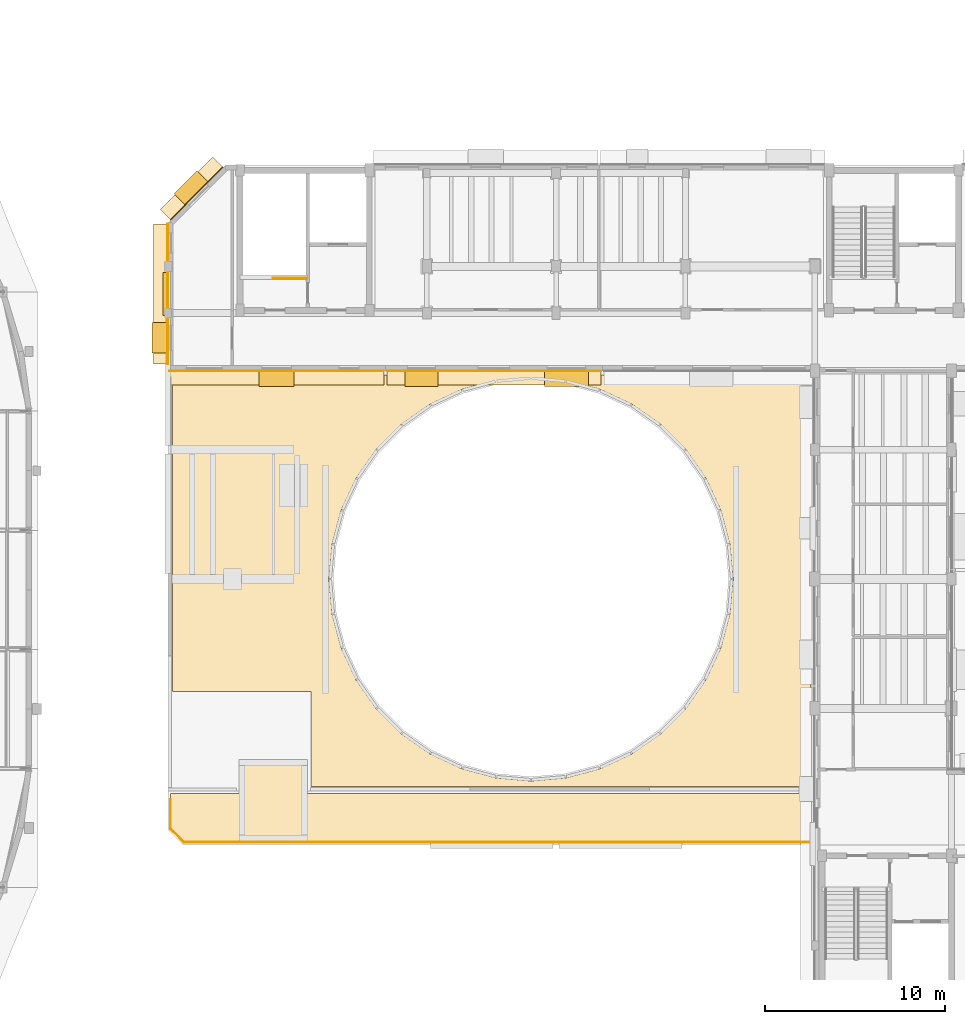
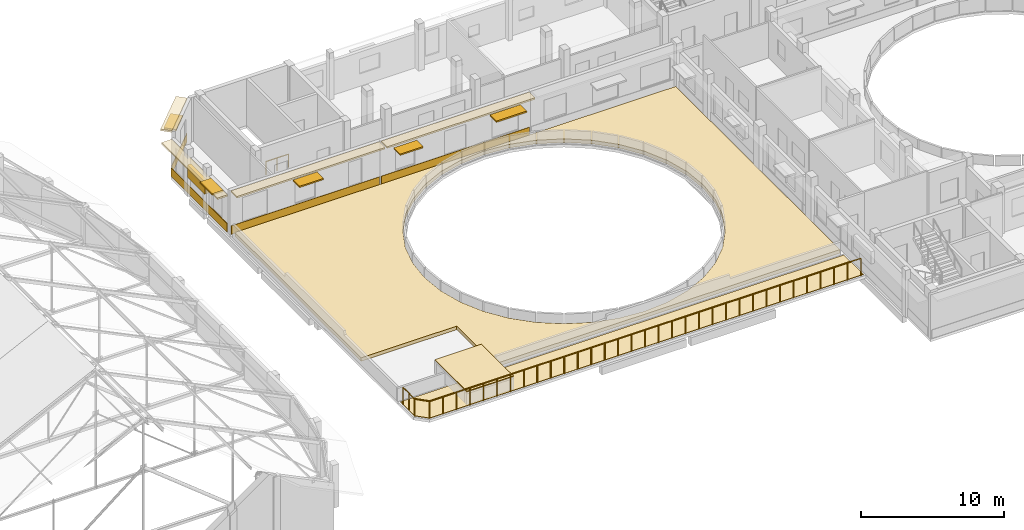
# One storey, part 69 of 78: 11 coverings, 6 shading devices, 3 railings.
"""IFC4 building model written with IfcOpenShell, lengths in metres."""

from ifc_helpers import new_model, si_unit, direction, frame, origin, origin_2d, place, context, subcontext, project, spatial, polyline, rectangle, circle, outline, extrude, material, layer, layer_set, type_object, element, save


model = new_model("IFC4")

# Units and contexts
model_context = context("Model", 3, precision=1e-05, world=origin(), true_north=direction((0.0, 1.0)))
body_context = subcontext(model_context, "Body", "Model", "MODEL_VIEW")
ifc_project = project(units=[si_unit("LENGTHUNIT", "METRE"), si_unit("AREAUNIT", "SQUARE_METRE"), si_unit("VOLUMEUNIT", "CUBIC_METRE"), si_unit("PLANEANGLEUNIT", "RADIAN"), si_unit("MASSUNIT", "GRAM", prefix="KILO")], contexts=[model_context])

# Site, building, storey
site_placement = place(None, origin())
site = spatial("IfcSite", under=ifc_project, at=site_placement, CompositionType="ELEMENT")
building_placement = place(site_placement, origin())
building = spatial("IfcBuilding", under=site, at=building_placement, Name="Kelanivale Promenade Academy", CompositionType="ELEMENT")
storey_placement = place(building_placement, frame((0.0, 0.0, 16.199951171875)))
storey = spatial("IfcBuildingStorey", under=building, at=storey_placement, Name="L04", CompositionType="ELEMENT", Elevation=16.199951171875)

# Coverings
ifc_material_1 = material(Name="Warm ivory Art Deco stucco frieze band 40 mm", Category="masonry")
ifc_layer_1 = layer(ifc_material_1, 0.0400390625)
ifc_layer_set_1 = layer_set([ifc_layer_1], Name="Warm ivory Art Deco stucco frieze band 40 mm")
covering_type_1 = type_object("IfcCoveringType", Name="COV-CLD2 Warm ivory Art Deco stucco frieze ba", PredefinedType="CLADDING", material=ifc_layer_set_1)
covering_1_placement = place(storey_placement, frame((44.52001953125, 78.530029296875, 3.6201171875), z_axis=(0.0, 0.0, 1.0), x_axis=(-0.707106781187, -0.707106781187, 0.0)))
element("IfcCovering", 1, at=covering_1_placement, inside=storey, type_object=covering_type_1, Name="Art Deco projecting 820 mm streamline sunshade eyebrow ledge", PredefinedType="CLADDING", context=body_context, shape_type="SweptSolid", body=[
    extrude(rectangle(XDim=4.134033203125, YDim=0.820068359375, at=origin_2d()), origin(), (0.0, 0.0, 1.0), 0.139892578125),
])
covering_2_placement = place(storey_placement, frame((44.7919921875, 78.258056640625, 0.06005859375), z_axis=(0.0, 0.0, 1.0), x_axis=(-0.707106781187, -0.707106781187, 0.0)))
element("IfcCovering", 2, at=covering_2_placement, inside=storey, type_object=covering_type_1, Name="Art Deco ivory stucco sill frieze band", PredefinedType="CLADDING", context=body_context, shape_type="SweptSolid", body=[
    extrude(rectangle(XDim=4.134033203125, YDim=0.0400390625, at=origin_2d()), origin(), (0.0, 0.0, 1.0), 0.719970703125),
])
covering_3_placement = place(storey_placement, frame((42.800048828125, 72.660888671875, 3.09521484375), z_axis=(0.0, 0.0, 1.0), x_axis=(0.0, -1.0, 0.0)))
element("IfcCovering", 3, at=covering_3_placement, inside=storey, type_object=covering_type_1, Name="Art Deco projecting 820 mm streamline sunshade eyebrow ledge", PredefinedType="CLADDING", context=body_context, shape_type="SweptSolid", body=[
    extrude(rectangle(XDim=7.802001953125, YDim=0.820068359375, at=origin_2d()), origin(), (0.0, 0.0, 1.0), 0.139892578125),
])
covering_4_placement = place(storey_placement, frame((43.18505859375, 72.660888671875, 0.06005859375), z_axis=(0.0, 0.0, 1.0), x_axis=(0.0, -1.0, 0.0)))
element("IfcCovering", 4, at=covering_4_placement, inside=storey, type_object=covering_type_1, Name="Art Deco ivory stucco sill frieze band", PredefinedType="CLADDING", context=body_context, shape_type="SweptSolid", body=[
    extrude(rectangle(XDim=7.802001953125, YDim=0.0400390625, at=origin_2d()), origin(), (0.0, 0.0, 1.0), 0.719970703125),
])
covering_5_placement = place(storey_placement, frame((49.24609375, 68.0, 3.6201171875), z_axis=(0.0, 0.0, 1.0), x_axis=(1.0, 0.0, 0.0)))
element("IfcCovering", 5, at=covering_5_placement, inside=storey, type_object=covering_type_1, Name="Art Deco projecting 820 mm streamline sunshade eyebrow ledge", PredefinedType="CLADDING", context=body_context, shape_type="SweptSolid", body=[
    extrude(rectangle(XDim=11.93310546875, YDim=0.820068359375, at=origin_2d()), origin(), (0.0, 0.0, 1.0), 0.139892578125),
])
covering_6_placement = place(storey_placement, frame((49.24609375, 68.385009765625, 0.06005859375), z_axis=(0.0, 0.0, 1.0), x_axis=(1.0, 0.0, 0.0)))
element("IfcCovering", 6, at=covering_6_placement, inside=storey, type_object=covering_type_1, Name="Art Deco ivory stucco sill frieze band", PredefinedType="CLADDING", context=body_context, shape_type="SweptSolid", body=[
    extrude(rectangle(XDim=11.93310546875, YDim=0.0400390625, at=origin_2d()), origin(), (0.0, 0.0, 1.0), 0.719970703125),
])
covering_7_placement = place(storey_placement, frame((61.340087890625, 68.0, 3.6201171875), z_axis=(0.0, 0.0, 1.0), x_axis=(1.0, 0.0, 0.0)))
element("IfcCovering", 7, at=covering_7_placement, inside=storey, type_object=covering_type_1, Name="Art Deco projecting 820 mm streamline sunshade eyebrow ledge", PredefinedType="CLADDING", context=body_context, shape_type="SweptSolid", body=[
    extrude(rectangle(XDim=11.93408203125, YDim=0.820068359375, at=origin_2d()), origin(), (0.0, 0.0, 1.0), 0.139892578125),
])
covering_8_placement = place(storey_placement, frame((61.340087890625, 68.385009765625, 0.06005859375), z_axis=(0.0, 0.0, 1.0), x_axis=(1.0, 0.0, 0.0)))
element("IfcCovering", 8, at=covering_8_placement, inside=storey, type_object=covering_type_1, Name="Art Deco ivory stucco sill frieze band", PredefinedType="CLADDING", context=body_context, shape_type="SweptSolid", body=[
    extrude(rectangle(XDim=11.93408203125, YDim=0.0400390625, at=origin_2d()), origin(), (0.0, 0.0, 1.0), 0.719970703125),
])
ifc_material_2 = material(Name="Impact-absorbing EPDM rooftop Play Deck surfacing 40 mm", Category="masonry")
ifc_layer_2 = layer(ifc_material_2, 0.0400390625)
ifc_layer_set_2 = layer_set([ifc_layer_2], Name="Impact-absorbing EPDM rooftop Play Deck surfacing 40 mm")
covering_type_2 = type_object("IfcCoveringType", Name="COV-FLR3 Impact-absorbing EPDM rooftop Play D", PredefinedType="FLOORING", material=ifc_layer_set_2)
covering_9_placement = place(storey_placement, origin())
element("IfcCovering", 9, at=covering_9_placement, inside=storey, type_object=covering_type_2, Name="West Banyan Courtyard Rooftop Play Deck EPDM safety surfacing", PredefinedType="FLOORING", context=body_context, shape_type="SweptSolid", body=[
    extrude(outline(polyline([(44.097900390625, 42.139892578125), (79.06005859375, 42.139892578125), (79.06005859375, 44.860107421875), (43.340087890625, 44.860107421875), (43.340087890625, 42.89794921875), (44.097900390625, 42.139892578125)])), origin(), (0.0, 0.0, 1.0), 0.0400390625),
])
ifc_material_3 = material(Name="Standing-seam zinc-aluminium insulated hall roofing 60 mm", Category="aluminium")
ifc_layer_3 = layer(ifc_material_3, 0.06005859375)
ifc_layer_set_3 = layer_set([ifc_layer_3], Name="Standing-seam zinc-aluminium insulated hall roofing 60 mm")
covering_type_3 = type_object("IfcCoveringType", Name="COV-RFG1 Standing-seam zinc-aluminium insulat", PredefinedType="ROOFING", material=ifc_layer_set_3)
covering_10_placement = place(storey_placement, frame((0.0, 0.0, 1.10009765625)))
element("IfcCovering", 10, at=covering_10_placement, inside=storey, type_object=covering_type_3, Name="CORE-6 overrun standing-seam roof membrane", PredefinedType="ROOFING", context=body_context, shape_type="SweptSolid", body=[
    extrude(outline(polyline([(47.18505859375, 42.264892578125), (50.93505859375, 42.264892578125), (50.93505859375, 46.72509765625), (47.18505859375, 46.72509765625), (47.18505859375, 42.264892578125)])), origin(), (0.0, 0.0, 1.0), 0.06005859375),
])
ifc_material_4 = material(Name="Extensive tropical planted green-roof substrate 300 mm", Category="masonry")
ifc_layer_4 = layer(ifc_material_4, 0.300048828125)
ifc_layer_set_4 = layer_set([ifc_layer_4], Name="Extensive tropical planted green-roof substrate 300 mm")
covering_type_4 = type_object("IfcCoveringType", Name="COV-RFG2 Extensive tropical planted green-roo", PredefinedType="ROOFING", material=ifc_layer_set_4)
covering_11_placement = place(storey_placement, origin())
element("IfcCovering", 11, at=covering_11_placement, inside=storey, type_object=covering_type_4, Name="L04 planted green-roof substrate", PredefinedType="ROOFING", context=body_context, shape_type="SweptSolid", body=[
    extrude(outline(polyline([(43.43994140625, 68.159912109375), (43.43994140625, 50.550048828125), (51.14990234375, 50.550048828125), (51.14990234375, 45.239990234375), (78.9599609375, 45.239990234375), (78.9599609375, 68.159912109375), (43.43994140625, 68.159912109375)]), holes=[polyline([(74.468994140625, 58.751953125), (74.471923828125, 58.73095703125), (74.638916015625, 56.821044921875), (74.639892578125, 56.800048828125), (74.638916015625, 56.779052734375), (74.471923828125, 54.868896484375), (74.468994140625, 54.847900390625), (74.465087890625, 54.827880859375), (73.968994140625, 52.97607421875), (73.962890625, 52.9560546875), (73.9541015625, 52.93701171875), (73.14306640625, 51.198974609375), (73.134033203125, 51.179931640625), (73.123046875, 51.162109375), (72.02294921875, 49.591064453125), (72.010009765625, 49.574951171875), (71.99609375, 49.55908203125), (70.64111328125, 48.2041015625), (70.625, 48.18994140625), (70.60888671875, 48.177001953125), (69.0380859375, 47.076904296875), (69.02001953125, 47.06591796875), (69.0009765625, 47.056884765625), (67.262939453125, 46.24609375), (67.243896484375, 46.237060546875), (67.22412109375, 46.23095703125), (65.3720703125, 45.735107421875), (65.35205078125, 45.73095703125), (65.3310546875, 45.72802734375), (63.4208984375, 45.56103515625), (63.39990234375, 45.56005859375), (63.37890625, 45.56103515625), (61.468994140625, 45.72802734375), (61.447998046875, 45.73095703125), (61.427978515625, 45.735107421875), (59.575927734375, 46.23095703125), (59.555908203125, 46.237060546875), (59.537109375, 46.24609375), (57.799072265625, 47.056884765625), (57.780029296875, 47.06591796875), (57.761962890625, 47.076904296875), (56.19091796875, 48.177001953125), (56.175048828125, 48.18994140625), (56.158935546875, 48.2041015625), (54.803955078125, 49.55908203125), (54.7900390625, 49.574951171875), (54.777099609375, 49.591064453125), (53.677001953125, 51.162109375), (53.666015625, 51.179931640625), (53.656982421875, 51.198974609375), (52.845947265625, 52.93701171875), (52.8369140625, 52.9560546875), (52.8310546875, 52.97607421875), (52.3349609375, 54.827880859375), (52.3310546875, 54.847900390625), (52.327880859375, 54.868896484375), (52.160888671875, 56.779052734375), (52.159912109375, 56.800048828125), (52.160888671875, 56.821044921875), (52.327880859375, 58.73095703125), (52.3310546875, 58.751953125), (52.3349609375, 58.77197265625), (52.8310546875, 60.6240234375), (52.8369140625, 60.64404296875), (52.845947265625, 60.6630859375), (53.656982421875, 62.40087890625), (53.666015625, 62.419921875), (53.677001953125, 62.43798828125), (54.777099609375, 64.009033203125), (54.7900390625, 64.02490234375), (54.803955078125, 64.041015625), (56.158935546875, 65.39599609375), (56.175048828125, 65.409912109375), (56.19091796875, 65.423095703125), (57.761962890625, 66.52294921875), (57.780029296875, 66.533935546875), (57.799072265625, 66.54296875), (59.537109375, 67.35400390625), (59.555908203125, 67.363037109375), (59.575927734375, 67.368896484375), (61.427978515625, 67.864990234375), (61.447998046875, 67.868896484375), (61.468994140625, 67.8720703125), (63.37890625, 68.0390625), (63.39990234375, 68.0400390625), (63.4208984375, 68.0390625), (65.3310546875, 67.8720703125), (65.35205078125, 67.868896484375), (65.3720703125, 67.864990234375), (67.22412109375, 67.368896484375), (67.243896484375, 67.363037109375), (67.262939453125, 67.35400390625), (69.0009765625, 66.54296875), (69.02001953125, 66.533935546875), (69.0380859375, 66.52294921875), (70.60888671875, 65.423095703125), (70.625, 65.409912109375), (70.64111328125, 65.39599609375), (71.99609375, 64.041015625), (72.010009765625, 64.02490234375), (72.02294921875, 64.009033203125), (73.123046875, 62.43798828125), (73.134033203125, 62.419921875), (73.14306640625, 62.40087890625), (73.9541015625, 60.6630859375), (73.962890625, 60.64404296875), (73.968994140625, 60.6240234375), (74.465087890625, 58.77197265625), (74.468994140625, 58.751953125)])]), origin(), (0.0, 0.0, 1.0), 0.300048828125),
])

# Railings
ifc_material_5 = material(Name="Brushed stainless steel grade 316", Category="steel")
railing_type_1 = type_object("IfcRailingType", Name="GR-01 Stair Guard 1100mm", PredefinedType="BALUSTRADE", material=ifc_material_5)
railing_1_placement = place(storey_placement, frame((50.864990234375, 73.554931640625, 0.0)))
element("IfcRailing", 12, at=railing_1_placement, inside=storey, type_object=railing_type_1, Name="L04 ST-04 top well guard 1", PredefinedType="BALUSTRADE", context=body_context, shape_type="SweptSolid", body=[
    extrude(circle(Radius=0.02392578125, at=origin_2d()), frame((0.0, 0.0, 1.09619140625), z_axis=(-1.0, 0.0, 0.0), x_axis=(0.0, -1.0, 0.0)), (0.0, 0.0, 1.0), 1.81005859375),
    extrude(circle(Radius=0.02099609375, at=origin_2d()), origin(), (0.0, 0.0, 1.0), 1.072021484375),
    extrude(circle(Radius=0.02099609375, at=origin_2d()), frame((-0.905029296875, 0.0, 0.0)), (0.0, 0.0, 1.0), 1.072021484375),
    extrude(circle(Radius=0.02099609375, at=origin_2d()), frame((-1.81005859375, 0.0, 0.0)), (0.0, 0.0, 1.0), 1.072021484375),
])
ifc_material_6 = material(Name="Powder-coated galvanized steel and stainless top rail", Category="steel")
railing_type_2 = type_object("IfcRailingType", Name="GR-02 Play Deck Balustrade 1500mm", PredefinedType="BALUSTRADE", material=ifc_material_6)
railing_2_placement = place(storey_placement, frame((43.340087890625, 42.89794921875, 0.0)))
element("IfcRailing", 13, at=railing_2_placement, inside=storey, type_object=railing_type_2, Name="West Banyan Courtyard Rooftop Play Deck 1500 mm safety balustrade", PredefinedType="BALUSTRADE", context=body_context, shape_type="SweptSolid", body=[
    extrude(circle(Radius=0.02392578125, at=origin_2d()), frame((0.0, 0.0, 1.47607421875), z_axis=(0.0, 1.0, 0.0), x_axis=(-1.0, 0.0, 0.0)), (0.0, 0.0, 1.0), 1.6220703125),
    extrude(circle(Radius=0.02099609375, at=origin_2d()), origin(), (0.0, 0.0, 1.0), 1.451904296875),
    extrude(circle(Radius=0.02099609375, at=origin_2d()), frame((0.0, 0.81103515625, 0.0)), (0.0, 0.0, 1.0), 1.451904296875),
    extrude(circle(Radius=0.02099609375, at=origin_2d()), frame((0.0, 1.6220703125, 0.0)), (0.0, 0.0, 1.0), 1.451904296875),
])
railing_3_placement = place(storey_placement, frame((78.85009765625, 42.139892578125, 0.0)))
element("IfcRailing", 14, at=railing_3_placement, inside=storey, type_object=railing_type_2, Name="West Banyan Courtyard Rooftop Play Deck 1500 mm safety balustrade", PredefinedType="BALUSTRADE", context=body_context, shape_type="SweptSolid", body=[
    extrude(circle(Radius=0.02392578125, at=origin_2d()), frame((0.0, 0.0, 1.47607421875), z_axis=(-1.0, 0.0, 0.0), x_axis=(0.0, -1.0, 0.0)), (0.0, 0.0, 1.0), 34.752197265625),
    extrude(circle(Radius=0.02392578125, at=origin_2d()), frame((-34.752197265625, 0.0, 1.47607421875), z_axis=(-0.706992887852, 0.707220656179, 0.0), x_axis=(-0.707220656179, -0.706992887852, 0.0)), (0.0, 0.0, 1.0), 1.07177734375),
    extrude(circle(Radius=0.02099609375, at=origin_2d()), origin(), (0.0, 0.0, 1.0), 1.451904296875),
    extrude(circle(Radius=0.02099609375, at=origin_2d()), frame((-1.0859375, 0.0, 0.0)), (0.0, 0.0, 1.0), 1.451904296875),
    extrude(circle(Radius=0.02099609375, at=origin_2d()), frame((-2.172119140625, 0.0, 0.0)), (0.0, 0.0, 1.0), 1.451904296875),
    extrude(circle(Radius=0.02099609375, at=origin_2d()), frame((-3.258056640625, 0.0, 0.0)), (0.0, 0.0, 1.0), 1.451904296875),
    extrude(circle(Radius=0.02099609375, at=origin_2d()), frame((-4.343994140625, 0.0, 0.0)), (0.0, 0.0, 1.0), 1.451904296875),
    extrude(circle(Radius=0.02099609375, at=origin_2d()), frame((-5.429931640625, 0.0, 0.0)), (0.0, 0.0, 1.0), 1.451904296875),
    extrude(circle(Radius=0.02099609375, at=origin_2d()), frame((-6.51611328125, 0.0, 0.0)), (0.0, 0.0, 1.0), 1.451904296875),
    extrude(circle(Radius=0.02099609375, at=origin_2d()), frame((-7.60205078125, 0.0, 0.0)), (0.0, 0.0, 1.0), 1.451904296875),
    extrude(circle(Radius=0.02099609375, at=origin_2d()), frame((-8.68798828125, 0.0, 0.0)), (0.0, 0.0, 1.0), 1.451904296875),
    extrude(circle(Radius=0.02099609375, at=origin_2d()), frame((-9.774169921875, 0.0, 0.0)), (0.0, 0.0, 1.0), 1.451904296875),
    extrude(circle(Radius=0.02099609375, at=origin_2d()), frame((-10.860107421875, 0.0, 0.0)), (0.0, 0.0, 1.0), 1.451904296875),
    extrude(circle(Radius=0.02099609375, at=origin_2d()), frame((-11.946044921875, 0.0, 0.0)), (0.0, 0.0, 1.0), 1.451904296875),
    extrude(circle(Radius=0.02099609375, at=origin_2d()), frame((-13.031982421875, 0.0, 0.0)), (0.0, 0.0, 1.0), 1.451904296875),
    extrude(circle(Radius=0.02099609375, at=origin_2d()), frame((-14.1181640625, 0.0, 0.0)), (0.0, 0.0, 1.0), 1.451904296875),
    extrude(circle(Radius=0.02099609375, at=origin_2d()), frame((-15.2041015625, 0.0, 0.0)), (0.0, 0.0, 1.0), 1.451904296875),
    extrude(circle(Radius=0.02099609375, at=origin_2d()), frame((-16.2900390625, 0.0, 0.0)), (0.0, 0.0, 1.0), 1.451904296875),
    extrude(circle(Radius=0.02099609375, at=origin_2d()), frame((-17.3759765625, 0.0, 0.0)), (0.0, 0.0, 1.0), 1.451904296875),
    extrude(circle(Radius=0.02099609375, at=origin_2d()), frame((-18.462158203125, 0.0, 0.0)), (0.0, 0.0, 1.0), 1.451904296875),
    extrude(circle(Radius=0.02099609375, at=origin_2d()), frame((-19.548095703125, 0.0, 0.0)), (0.0, 0.0, 1.0), 1.451904296875),
    extrude(circle(Radius=0.02099609375, at=origin_2d()), frame((-20.634033203125, 0.0, 0.0)), (0.0, 0.0, 1.0), 1.451904296875),
    extrude(circle(Radius=0.02099609375, at=origin_2d()), frame((-21.72021484375, 0.0, 0.0)), (0.0, 0.0, 1.0), 1.451904296875),
    extrude(circle(Radius=0.02099609375, at=origin_2d()), frame((-22.80615234375, 0.0, 0.0)), (0.0, 0.0, 1.0), 1.451904296875),
    extrude(circle(Radius=0.02099609375, at=origin_2d()), frame((-23.89208984375, 0.0, 0.0)), (0.0, 0.0, 1.0), 1.451904296875),
    extrude(circle(Radius=0.02099609375, at=origin_2d()), frame((-24.97802734375, 0.0, 0.0)), (0.0, 0.0, 1.0), 1.451904296875),
    extrude(circle(Radius=0.02099609375, at=origin_2d()), frame((-26.064208984375, 0.0, 0.0)), (0.0, 0.0, 1.0), 1.451904296875),
    extrude(circle(Radius=0.02099609375, at=origin_2d()), frame((-27.150146484375, 0.0, 0.0)), (0.0, 0.0, 1.0), 1.451904296875),
    extrude(circle(Radius=0.02099609375, at=origin_2d()), frame((-28.236083984375, 0.0, 0.0)), (0.0, 0.0, 1.0), 1.451904296875),
    extrude(circle(Radius=0.02099609375, at=origin_2d()), frame((-29.322265625, 0.0, 0.0)), (0.0, 0.0, 1.0), 1.451904296875),
    extrude(circle(Radius=0.02099609375, at=origin_2d()), frame((-30.408203125, 0.0, 0.0)), (0.0, 0.0, 1.0), 1.451904296875),
    extrude(circle(Radius=0.02099609375, at=origin_2d()), frame((-31.494140625, 0.0, 0.0)), (0.0, 0.0, 1.0), 1.451904296875),
    extrude(circle(Radius=0.02099609375, at=origin_2d()), frame((-32.580078125, 0.0, 0.0)), (0.0, 0.0, 1.0), 1.451904296875),
    extrude(circle(Radius=0.02099609375, at=origin_2d()), frame((-33.666259765625, 0.0, 0.0)), (0.0, 0.0, 1.0), 1.451904296875),
    extrude(circle(Radius=0.02099609375, at=origin_2d()), frame((-34.752197265625, 0.0, 0.0)), (0.0, 0.0, 1.0), 1.451904296875),
    extrude(circle(Radius=0.02099609375, at=origin_2d()), frame((-35.510009765625, 0.758056640625, 0.0)), (0.0, 0.0, 1.0), 1.451904296875),
])

# Shading devices
ifc_material_7 = material(Name="Precast concrete C40/50", Category="concrete")
ifc_layer_5 = layer(ifc_material_7, 0.1201171875)
ifc_layer_set_5 = layer_set([ifc_layer_5], Name="Precast concrete C40/50")
shading_device_type_1 = type_object("IfcShadingDeviceType", Name="SHD-01 Art Deco Sunshade Eyebrow 900mm", PredefinedType="USERDEFINED", material=ifc_layer_set_5)
shading_device_1_placement = place(storey_placement, frame((44.491943359375, 78.55810546875, 2.9599609375), z_axis=(0.0, 0.0, 1.0), x_axis=(-0.707106781187, -0.707106781187, 0.0)))
element("IfcShadingDevice", 15, at=shading_device_1_placement, inside=storey, type_object=shading_device_type_1, Name="Art Deco 900 mm precast chajja window sunshade", ObjectType="SUNSHADE", PredefinedType="USERDEFINED", context=body_context, shape_type="SweptSolid", body=[
    extrude(rectangle(XDim=1.800048828125, YDim=0.89990234375, at=origin_2d()), origin(), (0.0, 0.0, 1.0), 0.1201171875),
])
shading_device_2_placement = place(storey_placement, frame((42.760009765625, 70.220947265625, 3.125), z_axis=(0.0, 0.0, 1.0), x_axis=(0.0, -1.0, 0.0)))
element("IfcShadingDevice", 16, at=shading_device_2_placement, inside=storey, type_object=shading_device_type_1, Name="Art Deco 900 mm precast chajja window sunshade", ObjectType="SUNSHADE", PredefinedType="USERDEFINED", context=body_context, shape_type="SweptSolid", body=[
    extrude(rectangle(XDim=1.699951171875, YDim=0.89990234375, at=origin_2d()), origin(), (0.0, 0.0, 1.0), 0.1201171875),
])
shading_device_3_placement = place(storey_placement, frame((49.24609375, 67.9599609375, 2.81005859375), z_axis=(0.0, 0.0, 1.0), x_axis=(1.0, 0.0, 0.0)))
element("IfcShadingDevice", 17, at=shading_device_3_placement, inside=storey, type_object=shading_device_type_1, Name="Art Deco 900 mm precast chajja window sunshade", ObjectType="SUNSHADE", PredefinedType="USERDEFINED", context=body_context, shape_type="SweptSolid", body=[
    extrude(rectangle(XDim=1.949951171875, YDim=0.89990234375, at=origin_2d()), origin(), (0.0, 0.0, 1.0), 0.1201171875),
])
shading_device_4_placement = place(storey_placement, frame((57.30908203125, 67.9599609375, 2.7099609375), z_axis=(0.0, 0.0, 1.0), x_axis=(1.0, 0.0, 0.0)))
element("IfcShadingDevice", 18, at=shading_device_4_placement, inside=storey, type_object=shading_device_type_1, Name="Art Deco 900 mm precast chajja window sunshade", ObjectType="SUNSHADE", PredefinedType="USERDEFINED", context=body_context, shape_type="SweptSolid", body=[
    extrude(rectangle(XDim=1.85009765625, YDim=0.89990234375, at=origin_2d()), origin(), (0.0, 0.0, 1.0), 0.1201171875),
])
shading_device_5_placement = place(storey_placement, frame((65.37109375, 67.9599609375, 2.81005859375), z_axis=(0.0, 0.0, 1.0), x_axis=(1.0, 0.0, 0.0)))
element("IfcShadingDevice", 19, at=shading_device_5_placement, inside=storey, type_object=shading_device_type_1, Name="Art Deco 900 mm precast chajja window sunshade", ObjectType="SUNSHADE", PredefinedType="USERDEFINED", context=body_context, shape_type="SweptSolid", body=[
    extrude(rectangle(XDim=2.449951171875, YDim=0.89990234375, at=origin_2d()), origin(), (0.0, 0.0, 1.0), 0.1201171875),
])
ifc_material_8 = material(Name="Bronze anodised aluminium EN AW-6063 T6", Category="aluminium")
ifc_layer_6 = layer(ifc_material_8, 0.080078125)
ifc_layer_set_6 = layer_set([ifc_layer_6], Name="Bronze anodised aluminium EN AW-6063 T6")
shading_device_type_2 = type_object("IfcShadingDeviceType", Name="SHD-02 Perforated Brise-Soleil Screen", PredefinedType="JALOUSIE", material=ifc_layer_set_6)
shading_device_6_placement = place(storey_placement, frame((43.06494140625, 72.660888671875, 1.72509765625), z_axis=(0.0, 0.0, 1.0), x_axis=(0.0, -1.0, 0.0)))
element("IfcShadingDevice", 20, at=shading_device_6_placement, inside=storey, type_object=shading_device_type_2, Name="Perforated Art Deco brise-soleil louvre screen", PredefinedType="JALOUSIE", context=body_context, shape_type="SweptSolid", body=[
    extrude(rectangle(XDim=2.39990234375, YDim=0.280029296875, at=origin_2d()), origin(), (0.0, 0.0, 1.0), 1.050048828125),
])

save(model, "model.ifc")
